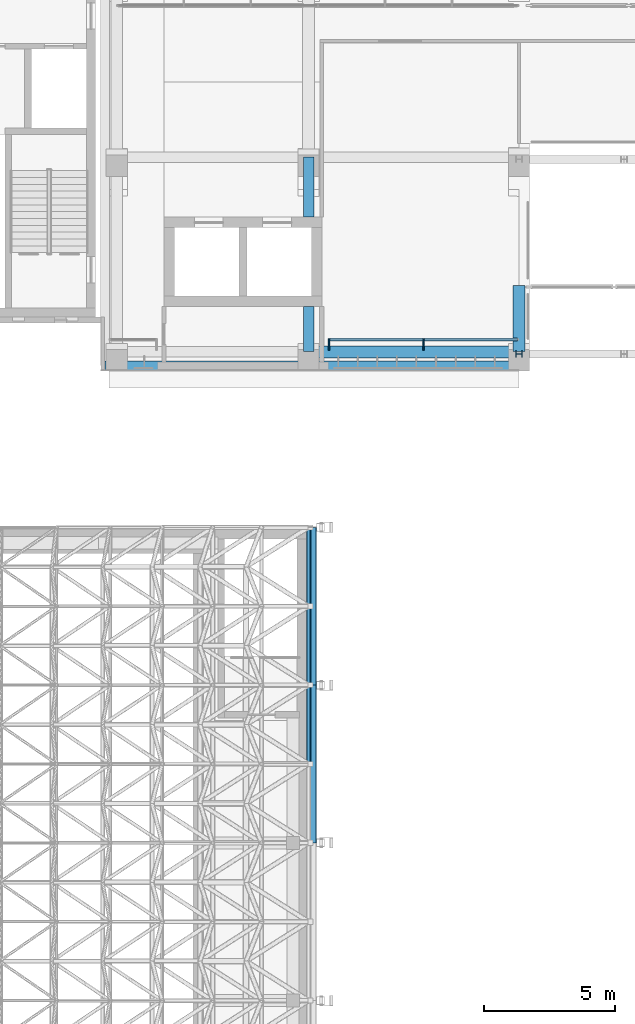
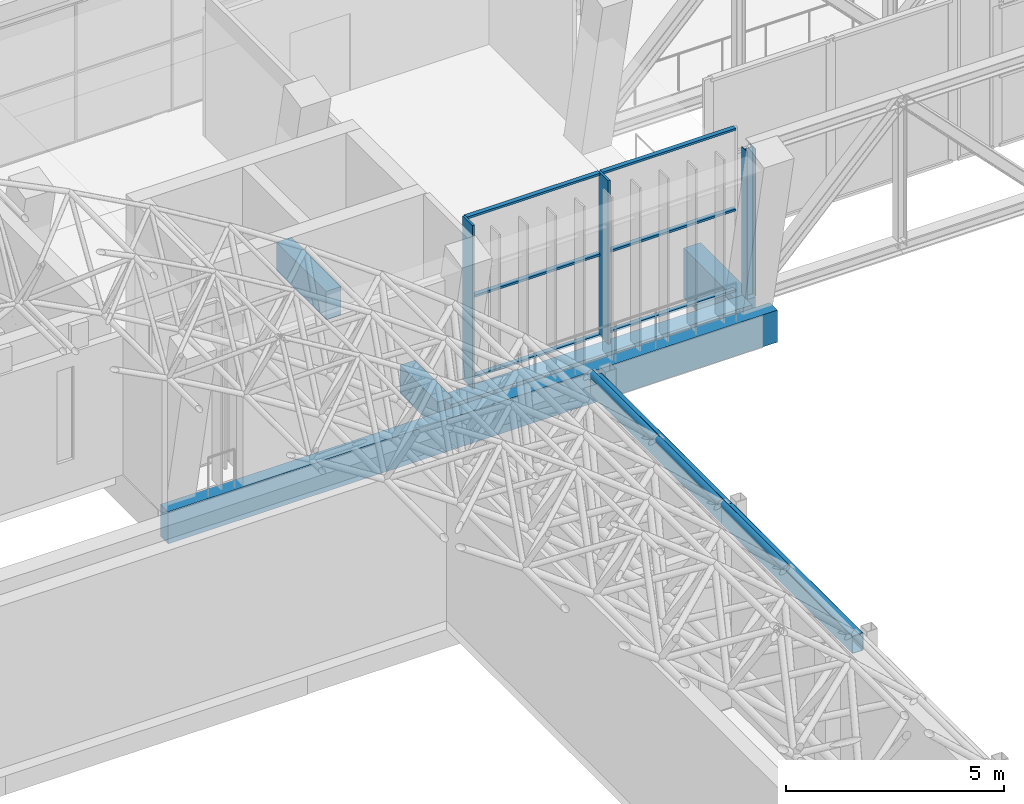
# One storey, part 33 of 141: 12 members, 7 beams, 1 element without a shape of its own.
"""IFC4 building model written with IfcOpenShell, lengths in metres."""

from ifc_helpers import new_model, si_unit, direction, frame, origin, origin_2d, place, context, subcontext, project, spatial, rectangle, hollow_rectangle, hollow_circle, i_section, extrude, material, material_profile, profile_set, type_object, element, aggregate, save


model = new_model("IFC4")

# Units and contexts
model_context = context("Model", 3, precision=1e-05, world=origin(), true_north=direction((0.0, 1.0)))
body_context = subcontext(model_context, "Body", "Model", "MODEL_VIEW")
ifc_project = project(units=[si_unit("LENGTHUNIT", "METRE"), si_unit("AREAUNIT", "SQUARE_METRE"), si_unit("VOLUMEUNIT", "CUBIC_METRE"), si_unit("PLANEANGLEUNIT", "RADIAN"), si_unit("MASSUNIT", "GRAM", prefix="KILO")], contexts=[model_context])

# Site, building, storey
site_placement = place(None, origin())
site = spatial("IfcSite", under=ifc_project, at=site_placement, CompositionType="ELEMENT")
building_placement = place(site_placement, origin())
building = spatial("IfcBuilding", under=site, at=building_placement, Name="Lantern Court Media Centre", CompositionType="ELEMENT")
storey_placement = place(building_placement, frame((0.0, 0.0, 9.60009765625)))
storey = spatial("IfcBuildingStorey", under=building, at=storey_placement, Name="L02", CompositionType="ELEMENT", Elevation=9.60009765625)

# Beams
ifc_material_1 = material(Name="Steel S355J2 (EN 10025-2)", Category="steel")
ifc_material_profile_1 = material_profile(ifc_material_1, hollow_rectangle(XDim=0.300048828125, YDim=0.5, WallThickness=0.01611328125, InnerFilletRadius=0.01611328125, OuterFilletRadius=0.02392578125, at=origin_2d()), Name="Cinema Hall edge girder RHS 500x300x16")
ifc_profile_set_1 = profile_set([ifc_material_profile_1], Name="Steel S355J2 (EN 10025-2)")
beam_type_1 = type_object("IfcBeamType", Name="Cinema Hall edge girder RHS 500x300x16", PredefinedType="BEAM", material=ifc_profile_set_1)
for number, where, z_axis, x_axis, name in (
    (1, (32.14990234375, 28.0, 4.449951171875), (0.0, 1.0, 0.0), (-1.0, 0.0, 0.0), "Cinema Hall edge girder east 6"),
    (2, (32.14990234375, 34.0, 4.449951171875), (0.0, 1.0, 0.0), (-1.0, 0.0, 0.0), "Cinema Hall edge girder east 7"),
):
    element("IfcBeam", number, at=place(storey_placement, frame(where, z_axis=z_axis, x_axis=x_axis)), inside=storey, type_object=beam_type_1, Name=name, PredefinedType="BEAM", context=body_context, shape_type="SweptSolid", body=[
        extrude(hollow_rectangle(XDim=0.300048828125, YDim=0.5, WallThickness=0.01611328125, InnerFilletRadius=0.01611328125, OuterFilletRadius=0.02392578125, at=origin_2d()), origin(), (0.0, 0.0, 1.0), 6.0),
    ])

# Members
ifc_material_profile_2 = material_profile(ifc_material_1, hollow_circle(Radius=0.0888671875, WallThickness=0.010009765625, at=origin_2d()), Name="Cinema Hall top CHS 177.8x10")
ifc_profile_set_2 = profile_set([ifc_material_profile_2], Name="Steel S355J2 (EN 10025-2)")
member_type_1 = type_object("IfcMemberType", Name="Cinema Hall top CHS 177.8x10", PredefinedType="CHORD", material=ifc_profile_set_2)
for number, where, z_axis, x_axis, name in (
    (3, (32.0, 31.0, 4.7998046875), (0.0, 1.0, 0.0), (-1.0, 0.0, 0.0), "Cinema Hall top chord 17-12"),
    (4, (32.0, 34.0, 4.7998046875), (0.0, 1.0, 0.0), (-1.0, 0.0, 0.0), "Cinema Hall top chord 17-13"),
    (5, (32.0, 37.0, 4.7998046875), (0.0, 1.0, 0.0), (-1.0, 0.0, 0.0), "Cinema Hall top chord 17-14"),
):
    element("IfcMember", number, at=place(storey_placement, frame(where, z_axis=z_axis, x_axis=x_axis)), inside=storey, type_object=member_type_1, Name=name, PredefinedType="CHORD", context=body_context, shape_type="SweptSolid", body=[
        extrude(hollow_circle(Radius=0.0888671875, WallThickness=0.010009765625, at=origin_2d()), origin(), (0.0, 0.0, 1.0), 3.0),
    ])

# Curtain wall, members
ifc_material_2 = material(Name="Curtain wall bay 3000")
curtain_wall_type = type_object("IfcCurtainWallType", Name="Curtain wall bay 3000", PredefinedType="NOTDEFINED", material=ifc_material_2)
curtain_wall_placement = place(storey_placement, origin())
curtain_wall = element("IfcCurtainWall", 6, at=curtain_wall_placement, inside=storey, type_object=curtain_wall_type, Name="Curtain wall S outer L02", PredefinedType="NOTDEFINED")
ifc_material_3 = material(Name="Anodised aluminium", Category="aluminium")
ifc_material_profile_3 = material_profile(ifc_material_3, rectangle(XDim=0.449951171875, YDim=0.06005859375, at=origin_2d()), Name="AL 60x450")
ifc_profile_set_3 = profile_set([ifc_material_profile_3], Name="Anodised aluminium")
member_type_2 = type_object("IfcMemberType", Name="Curtain wall mullion 60x450", PredefinedType="MULLION", material=ifc_profile_set_3)
member_1_placement = place(storey_placement, frame((32.780029296875, 46.955078125, 0.0), z_axis=(0.0, 0.0, 1.0), x_axis=(0.0, 1.0, 0.0)))
member_1 = element("IfcMember", 7, at=member_1_placement, type_object=member_type_2, Name="CW1 mullion 1", PredefinedType="MULLION", context=body_context, shape_type="SweptSolid", body=[
    extrude(rectangle(XDim=0.449951171875, YDim=0.06005859375, at=origin_2d()), origin(), (0.0, 0.0, 1.0), 4.579833984375),
])
member_2_placement = place(storey_placement, frame((36.375, 46.955078125, 0.0), z_axis=(0.0, 0.0, 1.0), x_axis=(0.0, 1.0, 0.0)))
member_2 = element("IfcMember", 8, at=member_2_placement, type_object=member_type_2, Name="CW1 mullion 2", PredefinedType="MULLION", context=body_context, shape_type="SweptSolid", body=[
    extrude(rectangle(XDim=0.449951171875, YDim=0.06005859375, at=origin_2d()), origin(), (0.0, 0.0, 1.0), 4.579833984375),
])
ifc_material_profile_4 = material_profile(ifc_material_3, rectangle(XDim=0.1201171875, YDim=0.06005859375, at=origin_2d()), Name="AL 60x120")
ifc_profile_set_4 = profile_set([ifc_material_profile_4], Name="Anodised aluminium")
member_type_3 = type_object("IfcMemberType", Name="Curtain wall transom 60x120", PredefinedType="USERDEFINED", material=ifc_profile_set_4)
member_3_placement = place(storey_placement, frame((32.81005859375, 47.14990234375, 0.02978515625), z_axis=(1.0, 0.0, 0.0), x_axis=(0.0, 1.0, 0.0)))
member_3 = element("IfcMember", 9, at=member_3_placement, type_object=member_type_3, Name="CW1 transom 1.1", ObjectType="TRANSOM", PredefinedType="USERDEFINED", context=body_context, shape_type="SweptSolid", body=[
    extrude(rectangle(XDim=0.1201171875, YDim=0.06005859375, at=origin_2d()), origin(), (0.0, 0.0, 1.0), 3.534912109375),
])
member_4_placement = place(storey_placement, frame((32.81005859375, 47.14990234375, 2.289794921875), z_axis=(1.0, 0.0, 0.0), x_axis=(0.0, 1.0, 0.0)))
member_4 = element("IfcMember", 10, at=member_4_placement, type_object=member_type_3, Name="CW1 transom 1.2", ObjectType="TRANSOM", PredefinedType="USERDEFINED", context=body_context, shape_type="SweptSolid", body=[
    extrude(rectangle(XDim=0.1201171875, YDim=0.06005859375, at=origin_2d()), origin(), (0.0, 0.0, 1.0), 3.534912109375),
])
member_5_placement = place(storey_placement, frame((32.81005859375, 47.14990234375, 4.5498046875), z_axis=(1.0, 0.0, 0.0), x_axis=(0.0, 1.0, 0.0)))
member_5 = element("IfcMember", 11, at=member_5_placement, type_object=member_type_3, Name="CW1 transom 1.3", ObjectType="TRANSOM", PredefinedType="USERDEFINED", context=body_context, shape_type="SweptSolid", body=[
    extrude(rectangle(XDim=0.1201171875, YDim=0.06005859375, at=origin_2d()), origin(), (0.0, 0.0, 1.0), 3.534912109375),
])
member_6_placement = place(storey_placement, frame((36.405029296875, 47.14990234375, 0.02978515625), z_axis=(1.0, 0.0, 0.0), x_axis=(0.0, 1.0, 0.0)))
member_6 = element("IfcMember", 12, at=member_6_placement, type_object=member_type_3, Name="CW1 transom 2.1", ObjectType="TRANSOM", PredefinedType="USERDEFINED", context=body_context, shape_type="SweptSolid", body=[
    extrude(rectangle(XDim=0.1201171875, YDim=0.06005859375, at=origin_2d()), origin(), (0.0, 0.0, 1.0), 3.534912109375),
])
member_7_placement = place(storey_placement, frame((36.405029296875, 47.14990234375, 2.289794921875), z_axis=(1.0, 0.0, 0.0), x_axis=(0.0, 1.0, 0.0)))
member_7 = element("IfcMember", 13, at=member_7_placement, type_object=member_type_3, Name="CW1 transom 2.2", ObjectType="TRANSOM", PredefinedType="USERDEFINED", context=body_context, shape_type="SweptSolid", body=[
    extrude(rectangle(XDim=0.1201171875, YDim=0.06005859375, at=origin_2d()), origin(), (0.0, 0.0, 1.0), 3.534912109375),
])
member_8_placement = place(storey_placement, frame((36.405029296875, 47.14990234375, 4.5498046875), z_axis=(1.0, 0.0, 0.0), x_axis=(0.0, 1.0, 0.0)))
member_8 = element("IfcMember", 14, at=member_8_placement, type_object=member_type_3, Name="CW1 transom 2.3", ObjectType="TRANSOM", PredefinedType="USERDEFINED", context=body_context, shape_type="SweptSolid", body=[
    extrude(rectangle(XDim=0.1201171875, YDim=0.06005859375, at=origin_2d()), origin(), (0.0, 0.0, 1.0), 3.534912109375),
])
aggregate(curtain_wall, [member_1, member_2, member_3, member_4, member_5, member_6, member_7, member_8])

# Member
ifc_material_profile_5 = material_profile(ifc_material_1, i_section(OverallWidth=0.239990234375, OverallDepth=0.239990234375, WebThickness=0.010009765625, FlangeThickness=0.01708984375, FilletRadius=0.02099609375, at=origin_2d()), Name="HEB 240")
ifc_profile_set_5 = profile_set([ifc_material_profile_5], Name="Steel S355J2 (EN 10025-2)")
member_type_4 = type_object("IfcMemberType", Name="Entrance transfer truss vertical HEB 240", PredefinedType="POST", material=ifc_profile_set_5)
member_9_placement = place(storey_placement, frame((40.0, 46.60009765625, 0.1884765625), z_axis=(0.0, 0.0, 1.0), x_axis=(0.0, 1.0, 0.0)))
element("IfcMember", 15, at=member_9_placement, inside=storey, type_object=member_type_4, Name="Transfer truss 1 vertical 1", PredefinedType="POST", context=body_context, shape_type="SweptSolid", body=[
    extrude(i_section(OverallWidth=0.239990234375, OverallDepth=0.239990234375, WebThickness=0.010009765625, FlangeThickness=0.01708984375, FilletRadius=0.02099609375, at=origin_2d()), origin(), (0.0, 0.0, 1.0), 4.123046875),
])

# Beams
ifc_material_4 = material(Name="Concrete C35", Category="concrete")
ifc_material_profile_6 = material_profile(ifc_material_4, rectangle(XDim=0.35009765625, YDim=0.89990234375, at=origin_2d()), Name="RC 350x900")
ifc_profile_set_6 = profile_set([ifc_material_profile_6], Name="Concrete C35")
beam_type_2 = type_object("IfcBeamType", Name="RC BEAM 350x900", PredefinedType="BEAM", material=ifc_profile_set_6)
beam_1_placement = place(storey_placement, frame((24.25, 46.14990234375, -0.4501953125), z_axis=(1.0, 0.0, 0.0), x_axis=(0.0, 1.0, 0.0)))
element("IfcBeam", 16, at=beam_1_placement, inside=storey, type_object=beam_type_2, Name="EB-S-L02-A", PredefinedType="BEAM", context=body_context, shape_type="SweptSolid", body=[
    extrude(rectangle(XDim=0.35009765625, YDim=0.89990234375, at=origin_2d()), origin(), (0.0, 0.0, 1.0), 16.14990234375),
])
ifc_material_profile_7 = material_profile(ifc_material_4, rectangle(XDim=0.39990234375, YDim=0.800048828125, at=origin_2d()), Name="RC 400x800")
ifc_profile_set_7 = profile_set([ifc_material_profile_7], Name="Concrete C35")
beam_type_3 = type_object("IfcBeamType", Name="RC BEAM 400x800", PredefinedType="BEAM", material=ifc_profile_set_7)
beam_2_placement = place(storey_placement, frame((32.0, 46.683349609375, -0.400146484375), z_axis=(0.0, 1.0, 0.0), x_axis=(-1.0, 0.0, 0.0)))
element("IfcBeam", 17, at=beam_2_placement, inside=storey, type_object=beam_type_3, Name="TB-S-L02-1-1", PredefinedType="BEAM", context=body_context, shape_type="SweptSolid", body=[
    extrude(rectangle(XDim=0.39990234375, YDim=0.800048828125, at=origin_2d()), origin(), (0.0, 0.0, 1.0), 1.716552734375),
])
beam_3_placement = place(storey_placement, frame((32.0, 51.800048828125, -0.400146484375), z_axis=(0.0, 1.0, 0.0), x_axis=(-1.0, 0.0, 0.0)))
element("IfcBeam", 18, at=beam_3_placement, inside=storey, type_object=beam_type_3, Name="TB-S-L02-1-11", PredefinedType="BEAM", context=body_context, shape_type="SweptSolid", body=[
    extrude(rectangle(XDim=0.39990234375, YDim=0.800048828125, at=origin_2d()), origin(), (0.0, 0.0, 1.0), 2.283203125),
])
ifc_material_profile_8 = material_profile(ifc_material_4, rectangle(XDim=0.449951171875, YDim=1.39990234375, at=origin_2d()), Name="RC 450x1400")
ifc_profile_set_8 = profile_set([ifc_material_profile_8], Name="Concrete C35")
beam_type_4 = type_object("IfcBeamType", Name="RC BEAM 450x1400", PredefinedType="BEAM", material=ifc_profile_set_8)
beam_4_placement = place(storey_placement, frame((40.0, 46.683349609375, -0.7001953125), z_axis=(0.0, 1.0, 0.0), x_axis=(-1.0, 0.0, 0.0)))
element("IfcBeam", 19, at=beam_4_placement, inside=storey, type_object=beam_type_4, Name="TB-S-L02-2-1", PredefinedType="BEAM", context=body_context, shape_type="SweptSolid", body=[
    extrude(rectangle(XDim=0.449951171875, YDim=1.39990234375, at=origin_2d()), origin(), (0.0, 0.0, 1.0), 2.5166015625),
])
ifc_material_profile_9 = material_profile(ifc_material_4, rectangle(XDim=0.449951171875, YDim=0.699951171875, at=origin_2d()), Name="RC 450x700")
ifc_profile_set_9 = profile_set([ifc_material_profile_9], Name="Concrete C35")
beam_type_5 = type_object("IfcBeamType", Name="RC BEAM 450x700", PredefinedType="BEAM", material=ifc_profile_set_9)
beam_5_placement = place(storey_placement, frame((32.0, 46.6728515625, -0.35009765625), z_axis=(1.0, 0.0, 0.0), x_axis=(0.0, 1.0, 0.0)))
element("IfcBeam", 20, at=beam_5_placement, inside=storey, type_object=beam_type_5, Name="LB-S-L02-0-1", PredefinedType="BEAM", context=body_context, shape_type="SweptSolid", body=[
    extrude(rectangle(XDim=0.449951171875, YDim=0.699951171875, at=origin_2d()), origin(), (0.0, 0.0, 1.0), 8.0),
])

save(model, "model.ifc")
